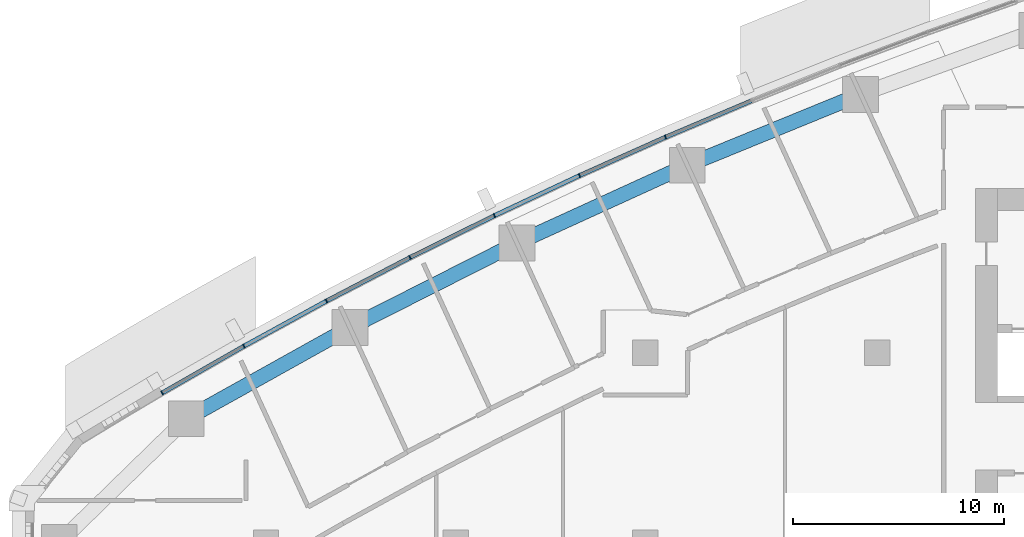
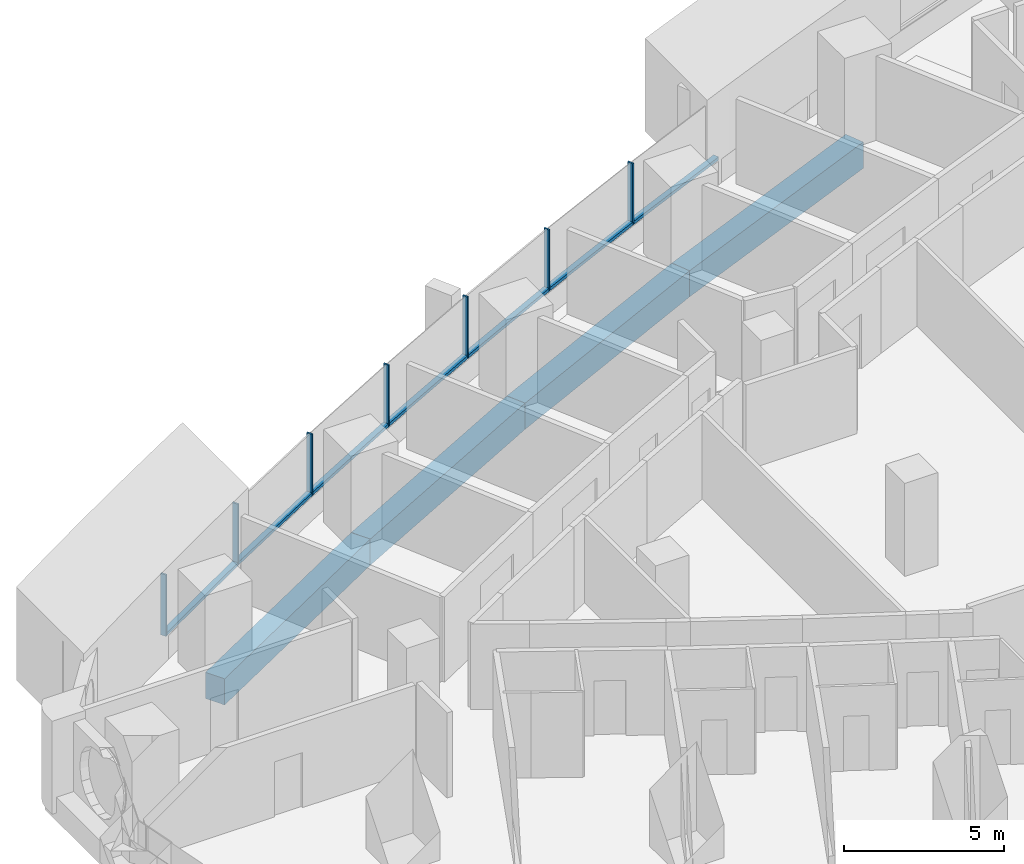
# One storey, part 5 of 17: 14 members, 4 beams, 4 elements without a shape of their own.
"""IFC4 building model written with IfcOpenShell, lengths in metres."""

from ifc_helpers import new_model, si_unit, direction, frame, origin, origin_2d, place, context, subcontext, project, spatial, rectangle, extrude, material, layer, layer_set, material_profile, profile_set, type_object, element, aggregate, save


model = new_model("IFC4")

# Units and contexts
model_context = context("Model", 3, precision=1e-05, world=origin(), true_north=direction((0.0, 1.0)))
body_context = subcontext(model_context, "Body", "Model", "MODEL_VIEW")
ifc_project = project(units=[si_unit("LENGTHUNIT", "METRE"), si_unit("AREAUNIT", "SQUARE_METRE"), si_unit("VOLUMEUNIT", "CUBIC_METRE"), si_unit("PLANEANGLEUNIT", "RADIAN"), si_unit("MASSUNIT", "GRAM", prefix="KILO")], contexts=[model_context])

# Site, building, storey
site_placement = place(None, origin())
site = spatial("IfcSite", under=ifc_project, at=site_placement, CompositionType="ELEMENT")
building_placement = place(site_placement, origin())
building = spatial("IfcBuilding", under=site, at=building_placement, Name="Ostrand Prow Hotel Tower", CompositionType="ELEMENT")
storey_placement = place(building_placement, frame((0.0, 0.0, 88.449951171875)))
storey = spatial("IfcBuildingStorey", under=building, at=storey_placement, Name="L20", CompositionType="ELEMENT", Elevation=88.449951171875)

# Beams
ifc_material_1 = material(Name="Concrete C80/95", Category="concrete")
ifc_material_profile_1 = material_profile(ifc_material_1, rectangle(XDim=0.699951171875, YDim=1.0, at=origin_2d()), Name="RC 700x1000")
ifc_profile_set_1 = profile_set([ifc_material_profile_1], Name="Concrete C80/95")
beam_type = type_object("IfcBeamType", Name="Edge beam 700x1000 C80/95", PredefinedType="SPANDREL", material=ifc_profile_set_1)
beam_1_placement = place(storey_placement, frame((44.210693359375, 21.263671875, -0.800048828125), z_axis=(-0.925612172894, -0.378473387955, 0.0), x_axis=(0.378473387955, -0.925612172894, 0.0)))
element("IfcBeam", 1, at=beam_1_placement, inside=storey, type_object=beam_type, Name="Edge beam N2-N3", PredefinedType="SPANDREL", context=body_context, shape_type="SweptSolid", body=[
    extrude(rectangle(XDim=0.699951171875, YDim=1.0, at=origin_2d()), origin(), (0.0, 0.0, 1.0), 8.88330078125),
])
beam_2_placement = place(storey_placement, frame((35.98828125, 17.901611328125, -0.800048828125), z_axis=(-0.909681006953, -0.415307675813, 0.0), x_axis=(0.415307675813, -0.909681006953, 0.0)))
element("IfcBeam", 2, at=beam_2_placement, inside=storey, type_object=beam_type, Name="Edge beam N3-N4", PredefinedType="SPANDREL", context=body_context, shape_type="SweptSolid", body=[
    extrude(rectangle(XDim=0.699951171875, YDim=1.0, at=origin_2d()), origin(), (0.0, 0.0, 1.0), 8.883544921875),
])
beam_3_placement = place(storey_placement, frame((27.906982421875, 14.212158203125, -0.800048828125), z_axis=(-0.892284288592, -0.451473973039, 0.0), x_axis=(0.451473973039, -0.892284288592, 0.0)))
element("IfcBeam", 3, at=beam_3_placement, inside=storey, type_object=beam_type, Name="Edge beam N4-N5", PredefinedType="SPANDREL", context=body_context, shape_type="SweptSolid", body=[
    extrude(rectangle(XDim=0.699951171875, YDim=1.0, at=origin_2d()), origin(), (0.0, 0.0, 1.0), 8.883056640625),
])
beam_4_placement = place(storey_placement, frame((19.980712890625, 10.20166015625, -0.800048828125), z_axis=(-0.873452439955, -0.486909473245, 0.0), x_axis=(0.486909473245, -0.873452439955, 0.0)))
element("IfcBeam", 4, at=beam_4_placement, inside=storey, type_object=beam_type, Name="Edge beam N5-N6", PredefinedType="SPANDREL", context=body_context, shape_type="SweptSolid", body=[
    extrude(rectangle(XDim=0.699951171875, YDim=1.0, at=origin_2d()), origin(), (0.0, 0.0, 1.0), 8.883544921875),
])

# Curtain wall, member
ifc_material_2 = material(Name="Insulated glass in bronze anodised frame", Category="glass")
ifc_layer = layer(ifc_material_2, 0.199951171875)
ifc_layer_set = layer_set([ifc_layer], Name="Insulated glass in bronze anodised frame")
curtain_wall_type = type_object("IfcCurtainWallType", Name="Strip curtain wall, fritted glass over bronze spandrel", PredefinedType="NOTDEFINED", material=ifc_layer_set)
curtain_wall_1_placement = place(storey_placement, origin())
curtain_wall_1 = element("IfcCurtainWall", 5, at=curtain_wall_1_placement, inside=storey, type_object=curtain_wall_type, Name="CW1 run CWN2", PredefinedType="NOTDEFINED")
ifc_material_3 = material(Name="Bronze anodised aluminium", Category="aluminium")
ifc_material_profile_2 = material_profile(ifc_material_3, rectangle(XDim=0.199951171875, YDim=0.06005859375, at=origin_2d()), Name="Mullion 60x200 bronze anodised aluminium")
ifc_profile_set_2 = profile_set([ifc_material_profile_2], Name="Bronze anodised aluminium")
member_type_1 = type_object("IfcMemberType", Name="Mullion 60x200 bronze anodised aluminium", PredefinedType="MULLION", material=ifc_profile_set_2)
member_1_placement = place(storey_placement, frame((34.95068359375, 19.233154296875, 0.900146484375), z_axis=(0.0, 0.0, 1.0), x_axis=(0.389506566255, -0.921023688536, 0.0)))
member_1 = element("IfcMember", 6, at=member_1_placement, type_object=member_type_1, Name="CW1 mullion 3", PredefinedType="MULLION", context=body_context, shape_type="SweptSolid", body=[
    extrude(rectangle(XDim=0.199951171875, YDim=0.06005859375, at=origin_2d()), origin(), (0.0, 0.0, 1.0), 2.349853515625),
])

# Curtain wall, members
curtain_wall_2_placement = place(storey_placement, origin())
curtain_wall_2 = element("IfcCurtainWall", 7, at=curtain_wall_2_placement, inside=storey, type_object=curtain_wall_type, Name="CW1 run CWN3", PredefinedType="NOTDEFINED")
member_2_placement = place(storey_placement, frame((30.872802734375, 17.41162109375, 0.900146484375), z_axis=(0.0, 0.0, 1.0), x_axis=(0.426079320162, -0.904685808958, 0.0)))
member_2 = element("IfcMember", 8, at=member_2_placement, type_object=member_type_1, Name="CW1 mullion 2", PredefinedType="MULLION", context=body_context, shape_type="SweptSolid", body=[
    extrude(rectangle(XDim=0.199951171875, YDim=0.06005859375, at=origin_2d()), origin(), (0.0, 0.0, 1.0), 2.349853515625),
])
member_3_placement = place(storey_placement, frame((26.83251953125, 15.508544921875, 0.900146484375), z_axis=(0.0, 0.0, 1.0), x_axis=(0.426079320162, -0.904685808958, 0.0)))
member_3 = element("IfcMember", 9, at=member_3_placement, type_object=member_type_1, Name="CW1 mullion 3", PredefinedType="MULLION", context=body_context, shape_type="SweptSolid", body=[
    extrude(rectangle(XDim=0.199951171875, YDim=0.06005859375, at=origin_2d()), origin(), (0.0, 0.0, 1.0), 2.349853515625),
])

curtain_wall_3_placement = place(storey_placement, origin())
curtain_wall_3 = element("IfcCurtainWall", 10, at=curtain_wall_3_placement, inside=storey, type_object=curtain_wall_type, Name="CW1 run CWN4", PredefinedType="NOTDEFINED")
member_4_placement = place(storey_placement, frame((22.831298828125, 13.525146484375, 0.900146484375), z_axis=(0.0, 0.0, 1.0), x_axis=(0.461968432937, -0.886896367661, 0.0)))
member_4 = element("IfcMember", 11, at=member_4_placement, type_object=member_type_1, Name="CW1 mullion 2", PredefinedType="MULLION", context=body_context, shape_type="SweptSolid", body=[
    extrude(rectangle(XDim=0.199951171875, YDim=0.06005859375, at=origin_2d()), origin(), (0.0, 0.0, 1.0), 2.349853515625),
])
member_5_placement = place(storey_placement, frame((18.870361328125, 11.4619140625, 0.900146484375), z_axis=(0.0, 0.0, 1.0), x_axis=(0.461968432937, -0.886896367661, 0.0)))
member_5 = element("IfcMember", 12, at=member_5_placement, type_object=member_type_1, Name="CW1 mullion 3", PredefinedType="MULLION", context=body_context, shape_type="SweptSolid", body=[
    extrude(rectangle(XDim=0.199951171875, YDim=0.06005859375, at=origin_2d()), origin(), (0.0, 0.0, 1.0), 2.349853515625),
])

curtain_wall_4_placement = place(storey_placement, origin())
curtain_wall_4 = element("IfcCurtainWall", 13, at=curtain_wall_4_placement, inside=storey, type_object=curtain_wall_type, Name="CW1 run CWN5", PredefinedType="NOTDEFINED")
member_6_placement = place(storey_placement, frame((14.951416015625, 9.320068359375, 0.900146484375), z_axis=(0.0, 0.0, 1.0), x_axis=(0.497114806368, -0.867684775301, 0.0)))
member_6 = element("IfcMember", 14, at=member_6_placement, type_object=member_type_1, Name="CW1 mullion 2", PredefinedType="MULLION", context=body_context, shape_type="SweptSolid", body=[
    extrude(rectangle(XDim=0.199951171875, YDim=0.06005859375, at=origin_2d()), origin(), (0.0, 0.0, 1.0), 2.349853515625),
])
member_7_placement = place(storey_placement, frame((11.076416015625, 7.099853515625, 0.900146484375), z_axis=(0.0, 0.0, 1.0), x_axis=(0.497114806368, -0.867684775301, 0.0)))
member_7 = element("IfcMember", 15, at=member_7_placement, type_object=member_type_1, Name="CW1 mullion 3", PredefinedType="MULLION", context=body_context, shape_type="SweptSolid", body=[
    extrude(rectangle(XDim=0.199951171875, YDim=0.06005859375, at=origin_2d()), origin(), (0.0, 0.0, 1.0), 2.349853515625),
])

# Member
ifc_material_4 = material(Name="Bronze anodised aluminium", Category="aluminium")
ifc_material_profile_3 = material_profile(ifc_material_4, rectangle(XDim=0.199951171875, YDim=0.1201171875, at=origin_2d()), Name="Transom 120x200 bronze anodised aluminium")
ifc_profile_set_3 = profile_set([ifc_material_profile_3], Name="Bronze anodised aluminium")
member_type_2 = type_object("IfcMemberType", Name="Transom 120x200 bronze anodised aluminium", PredefinedType="USERDEFINED", material=ifc_profile_set_3)
member_8_placement = place(storey_placement, frame((39.0361328125, 20.9609375, 0.9599609375), z_axis=(-0.921006250528, -0.389547797438, 0.0), x_axis=(0.389547797438, -0.921006250528, 0.0)))
member_8 = element("IfcMember", 16, at=member_8_placement, type_object=member_type_2, Name="CW1 transom 2.1", ObjectType="TRANSOM", PredefinedType="USERDEFINED", context=body_context, shape_type="SweptSolid", body=[
    extrude(rectangle(XDim=0.199951171875, YDim=0.1201171875, at=origin_2d()), origin(), (0.0, 0.0, 1.0), 4.406005859375),
])

aggregate(curtain_wall_1, [member_1, member_8])

member_9_placement = place(storey_placement, frame((34.923095703125, 19.220703125, 0.9599609375), z_axis=(-0.913030665163, -0.407890922271, 0.0), x_axis=(0.407890922271, -0.913030665163, 0.0)))
member_9 = element("IfcMember", 17, at=member_9_placement, type_object=member_type_2, Name="CW1 transom 1.1", ObjectType="TRANSOM", PredefinedType="USERDEFINED", context=body_context, shape_type="SweptSolid", body=[
    extrude(rectangle(XDim=0.199951171875, YDim=0.1201171875, at=origin_2d()), origin(), (0.0, 0.0, 1.0), 4.40576171875),
])

member_10_placement = place(storey_placement, frame((30.845703125, 17.398681640625, 0.9599609375), z_axis=(-0.904696854963, -0.42605586561, 0.0), x_axis=(0.42605586561, -0.904696854963, 0.0)))
member_10 = element("IfcMember", 18, at=member_10_placement, type_object=member_type_2, Name="CW1 transom 2.1", ObjectType="TRANSOM", PredefinedType="USERDEFINED", context=body_context, shape_type="SweptSolid", body=[
    extrude(rectangle(XDim=0.199951171875, YDim=0.1201171875, at=origin_2d()), origin(), (0.0, 0.0, 1.0), 4.406005859375),
])

aggregate(curtain_wall_2, [member_2, member_3, member_9, member_10])

member_11_placement = place(storey_placement, frame((26.8056640625, 15.495361328125, 0.9599609375), z_axis=(-0.895962348168, -0.444130015497, 0.0), x_axis=(0.444130015497, -0.895962348168, 0.0)))
member_11 = element("IfcMember", 19, at=member_11_placement, type_object=member_type_2, Name="CW1 transom 1.1", ObjectType="TRANSOM", PredefinedType="USERDEFINED", context=body_context, shape_type="SweptSolid", body=[
    extrude(rectangle(XDim=0.199951171875, YDim=0.1201171875, at=origin_2d()), origin(), (0.0, 0.0, 1.0), 4.406005859375),
])

member_12_placement = place(storey_placement, frame((22.8046875, 13.51123046875, 0.9599609375), z_axis=(-0.886901787206, -0.461958028235, 0.0), x_axis=(0.461958028235, -0.886901787206, 0.0)))
member_12 = element("IfcMember", 20, at=member_12_placement, type_object=member_type_2, Name="CW1 transom 2.1", ObjectType="TRANSOM", PredefinedType="USERDEFINED", context=body_context, shape_type="SweptSolid", body=[
    extrude(rectangle(XDim=0.199951171875, YDim=0.1201171875, at=origin_2d()), origin(), (0.0, 0.0, 1.0), 4.406005859375),
])

aggregate(curtain_wall_3, [member_4, member_5, member_11, member_12])

member_13_placement = place(storey_placement, frame((18.843994140625, 11.44775390625, 0.9599609375), z_axis=(-0.877471714137, -0.479628388328, 0.0), x_axis=(0.479628388328, -0.877471714137, 0.0)))
member_13 = element("IfcMember", 21, at=member_13_placement, type_object=member_type_2, Name="CW1 transom 1.1", ObjectType="TRANSOM", PredefinedType="USERDEFINED", context=body_context, shape_type="SweptSolid", body=[
    extrude(rectangle(XDim=0.199951171875, YDim=0.1201171875, at=origin_2d()), origin(), (0.0, 0.0, 1.0), 4.406005859375),
])

member_14_placement = place(storey_placement, frame((14.925537109375, 9.30517578125, 0.9599609375), z_axis=(-0.86766970623, -0.497141107625, 0.0), x_axis=(0.497141107625, -0.86766970623, 0.0)))
member_14 = element("IfcMember", 22, at=member_14_placement, type_object=member_type_2, Name="CW1 transom 2.1", ObjectType="TRANSOM", PredefinedType="USERDEFINED", context=body_context, shape_type="SweptSolid", body=[
    extrude(rectangle(XDim=0.199951171875, YDim=0.1201171875, at=origin_2d()), origin(), (0.0, 0.0, 1.0), 4.406005859375),
])

aggregate(curtain_wall_4, [member_6, member_7, member_13, member_14])

save(model, "model.ifc")
